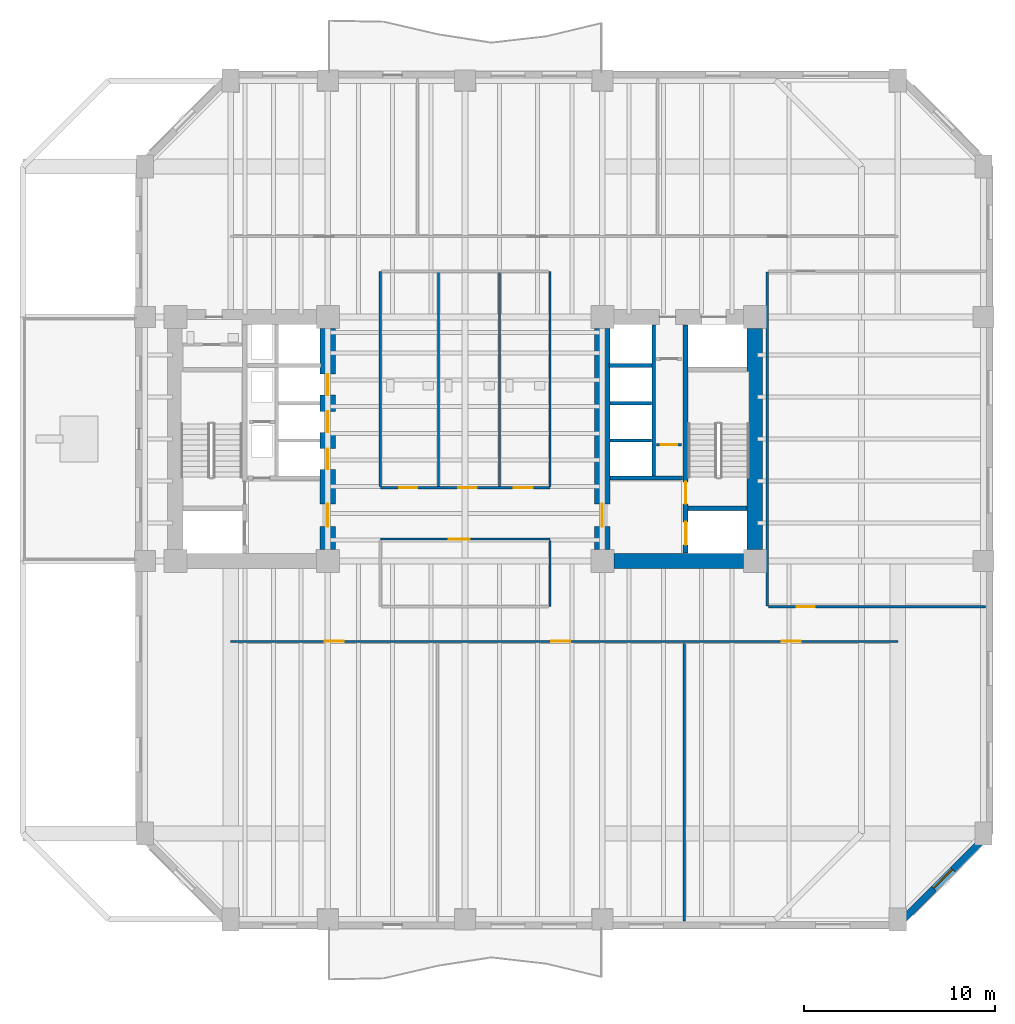
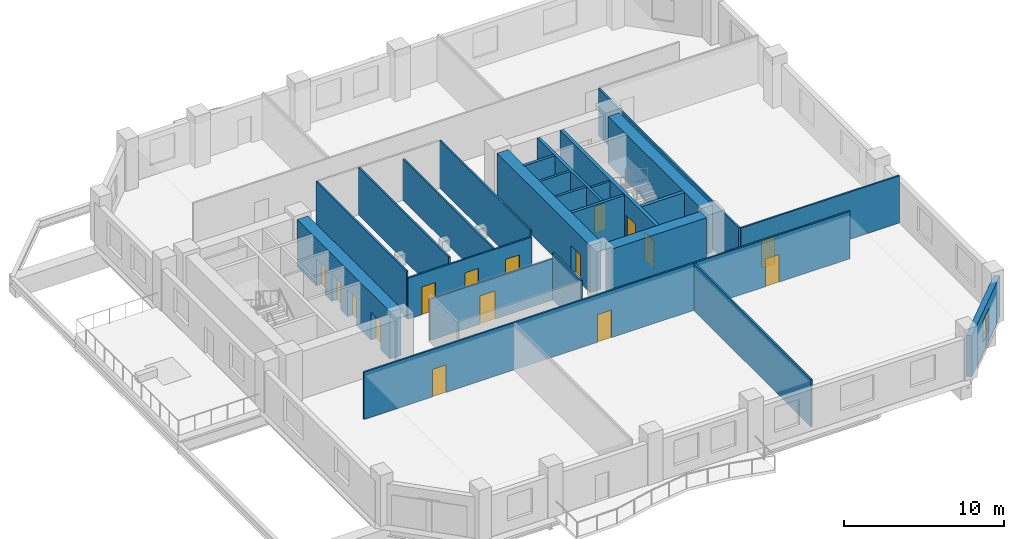
# One storey, part 4 of 11: 24 walls, 16 doors, 1 window, 17 openings.
"""IFC4 building model written with IfcOpenShell, lengths in metres."""

import ifcopenshell
import ifcopenshell.guid

model = None  # the IFC model being written
_history = None  # IfcOwnerHistory: only IFC2X3 demands one
_inside = {}  # id of a spatial element -> (the spatial element, [elements in it])
_under = {}  # id of a project, library or spatial element -> (it, [spatial elements below it])
_declared = {}  # id of a project -> (the project, [libraries it declares])
_typed = {}  # id of a type object -> (the type object, [elements of that type])
_made_of = {}  # id of a material, layer set ... -> (it, [elements and type objects made of it])


def new_model(schema):
    """Start an empty IFC model of exactly this schema.

    Asked for "IFC4X3", IfcOpenShell would pick the latest addendum, in which some entities
    have other attributes; the version numbers below select the first issue.
    IFC2X3 requires an IfcOwnerHistory on every rooted entity: one is made here for all.
    """
    global model, _history
    if schema == "IFC4X3":
        model = ifcopenshell.file(schema_version=(4, 3, 0, 0))
    else:
        model = ifcopenshell.file(schema=schema)
    _inside.clear()
    _under.clear()
    _declared.clear()
    _typed.clear()
    _made_of.clear()
    _history = None
    if model.schema == "IFC2X3":
        org = make("IfcOrganization", Name="unknown")
        user = make(
            "IfcPersonAndOrganization",
            ThePerson=make("IfcPerson", FamilyName="unknown"),
            TheOrganization=org,
        )
        app = make(
            "IfcApplication",
            ApplicationDeveloper=org,
            Version="unknown",
            ApplicationFullName="unknown",
            ApplicationIdentifier="unknown",
        )
        _history = make(
            "IfcOwnerHistory",
            OwningUser=user,
            OwningApplication=app,
            ChangeAction="ADDED",
            CreationDate=0,
        )
    return model


def make(cls, **values):
    """One entity of the class cls with the attributes given. An attribute that is None is left unset."""
    return model.create_entity(
        cls, **{name: value for name, value in values.items() if value is not None}
    )


def rooted(cls, **values):
    """An entity with a GlobalId (a new one), such as an element, a storey or a relation."""
    return make(cls, GlobalId=ifcopenshell.guid.new(), OwnerHistory=_history, **values)


def si_unit(unit_type, name, prefix=None):
    """IfcSIUnit, for example si_unit("LENGTHUNIT", "METRE", prefix="MILLI")."""
    return make("IfcSIUnit", UnitType=unit_type, Prefix=prefix, Name=name)


def assignment(units):
    """IfcUnitAssignment: the units of a project."""
    return None if units is None else make("IfcUnitAssignment", Units=units)


def point(xyz):
    """IfcCartesianPoint."""
    return None if xyz is None else make("IfcCartesianPoint", Coordinates=xyz)


def direction(xyz):
    """IfcDirection."""
    return None if xyz is None else make("IfcDirection", DirectionRatios=xyz)


def frame(location, z_axis=None, x_axis=None):
    """IfcAxis2Placement3D, a coordinate frame: its origin and axes. An axis left out is left unset."""
    return make(
        "IfcAxis2Placement3D",
        Location=point(location),
        Axis=direction(z_axis),
        RefDirection=direction(x_axis),
    )


def frame_2d(location, x_axis=None):
    """IfcAxis2Placement2D, a coordinate frame in the plane: its origin and x axis."""
    return make(
        "IfcAxis2Placement2D", Location=point(location), RefDirection=direction(x_axis)
    )


def origin():
    """The frame at (0, 0, 0) with its axes left unset."""
    return frame((0.0, 0.0, 0.0))


def place(relative_to, where):
    """IfcLocalPlacement: puts the frame where relative to a parent placement (None: the world)."""
    return make(
        "IfcLocalPlacement", PlacementRelTo=relative_to, RelativePlacement=where
    )


def context(
    kind, dimensions, precision=None, world=None, true_north=None, identifier=None
):
    """IfcGeometricRepresentationContext, for example the 3D "Model" context."""
    return make(
        "IfcGeometricRepresentationContext",
        ContextIdentifier=identifier,
        ContextType=kind,
        CoordinateSpaceDimension=dimensions,
        Precision=precision,
        WorldCoordinateSystem=world,
        TrueNorth=true_north,
    )


def subcontext(parent, identifier, kind, view, scale=None):
    """IfcGeometricRepresentationSubContext, for example "Body" below "Model"."""
    return make(
        "IfcGeometricRepresentationSubContext",
        ContextIdentifier=identifier,
        ContextType=kind,
        ParentContext=parent,
        TargetScale=scale,
        TargetView=view,
    )


def project(units=None, contexts=None):
    """IfcProject with its units and contexts."""
    return rooted(
        "IfcProject",
        Name="project",
        RepresentationContexts=contexts,
        UnitsInContext=assignment(units),
    )


def spatial(cls, under=None, at=None, **own):
    """A site, building, storey or space (cls), placed at a placement, below another one or the project."""
    s = rooted(cls, ObjectPlacement=at, **own)
    if under is not None:
        _under.setdefault(under.id(), (under, []))[1].append(s)
    return s


def profile(cls, at=None, kind="AREA", **sizes):
    """A parametric profile (cls). Its sizes go by their IFC names, for example OverallWidth=200.0."""
    return make(cls, ProfileType=kind, Position=at, **sizes)


def rectangle(**sizes):
    """IfcRectangleProfileDef."""
    return profile("IfcRectangleProfileDef", **sizes)


def extrude(swept, where, along, depth):
    """IfcExtrudedAreaSolid: the profile swept, set in the frame where, extruded along a direction by depth."""
    return make(
        "IfcExtrudedAreaSolid",
        SweptArea=swept,
        Position=where,
        ExtrudedDirection=direction(along),
        Depth=depth,
    )


def shape(context_of_items, identifier, shape_type, items):
    """IfcShapeRepresentation: the items that make up one representation, for example the "Body"."""
    return make(
        "IfcShapeRepresentation",
        ContextOfItems=context_of_items,
        RepresentationIdentifier=identifier,
        RepresentationType=shape_type,
        Items=items,
    )


def material(Name=None, Category=None):
    """IfcMaterial."""
    return make("IfcMaterial", Name=Name, Category=Category)


def layer(
    of_material, thickness, ventilated=None, Name=None, Category=None, Priority=None
):
    """IfcMaterialLayer: one layer of a wall or slab, of a material (None: an air gap)."""
    return make(
        "IfcMaterialLayer",
        Material=of_material,
        LayerThickness=thickness,
        IsVentilated=ventilated,
        Name=Name,
        Category=Category,
        Priority=Priority,
    )


def layer_set(layers, Name=None):
    """IfcMaterialLayerSet."""
    return make("IfcMaterialLayerSet", MaterialLayers=layers, LayerSetName=Name)


def made_of(thing, what):
    """Note that an element or type object is made of a material, layer set ...; save() writes the relation."""
    if what is not None:
        _made_of.setdefault(what.id(), (what, []))[1].append(thing)
    return thing


def type_object(cls, material=None, **own):
    """A type object (cls), such as IfcWallType, which elements share."""
    return made_of(rooted(cls, **own), material)


def element(
    cls,
    number,
    at=None,
    inside=None,
    cuts=None,
    type_object=None,
    material=None,
    context=None,
    identifier="Body",
    shape_type=None,
    held_by="IfcProductDefinitionShape",
    body=None,
    shapes=None,
    **own,
):
    """One element of the class cls, such as IfcWall. Its Tag is "e" and its number.

    at: its placement. inside: the storey or other place that contains it. cuts: it is an
    opening in that element (IfcRelVoidsElement). A single representation is given by context,
    identifier, shape_type and body (its items); several are given by shapes. held_by: the class
    of the entity that holds the representations. save() writes the other relations.
    """
    e = rooted(cls, Tag="e%d" % number, ObjectPlacement=at, **own)
    if body is not None:
        shapes = [shape(context, identifier, shape_type, body)]
    if shapes is not None:
        e.Representation = make(held_by, Representations=shapes)
    if inside is not None:
        _inside.setdefault(inside.id(), (inside, []))[1].append(e)
    if cuts is not None:
        rooted(
            "IfcRelVoidsElement", RelatingBuildingElement=cuts, RelatedOpeningElement=e
        )
    if type_object is not None:
        _typed.setdefault(type_object.id(), (type_object, []))[1].append(e)
    return made_of(e, material)


def fill(opening, filler):
    """IfcRelFillsElement: the door or window that sits in an opening."""
    return rooted(
        "IfcRelFillsElement",
        RelatingOpeningElement=opening,
        RelatedBuildingElement=filler,
    )


def aggregate(whole, parts):
    """IfcRelAggregates: a whole, such as a stair, and the parts it consists of."""
    return rooted("IfcRelAggregates", RelatingObject=whole, RelatedObjects=parts)


def save(model, path):
    """Write the relations noted so far, then the file.

    IfcRelAggregates (storeys below a building ...), IfcRelContainedInSpatialStructure (elements
    in a storey), IfcRelDefinesByType, IfcRelAssociatesMaterial and IfcRelDeclares: one each for
    every whole, place, type object, material and project.
    """
    for whole, parts in _under.values():
        aggregate(whole, parts)
    for where, things in _inside.values():
        rooted(
            "IfcRelContainedInSpatialStructure",
            RelatedElements=things,
            RelatingStructure=where,
        )
    for kind, things in _typed.values():
        rooted("IfcRelDefinesByType", RelatedObjects=things, RelatingType=kind)
    for what, things in _made_of.values():
        rooted("IfcRelAssociatesMaterial", RelatedObjects=things, RelatingMaterial=what)
    for by, libraries in _declared.values():
        rooted("IfcRelDeclares", RelatingContext=by, RelatedDefinitions=libraries)
    model.write(path)


model = new_model("IFC4")

# Units and contexts
model_context = context("Model", 3, precision=1e-05, world=origin(), true_north=direction((0.0, 1.0)))
body_context = subcontext(model_context, "Body", "Model", "MODEL_VIEW")
ifc_project = project(units=[si_unit("LENGTHUNIT", "METRE"), si_unit("AREAUNIT", "SQUARE_METRE"), si_unit("VOLUMEUNIT", "CUBIC_METRE"), si_unit("PLANEANGLEUNIT", "RADIAN"), si_unit("MASSUNIT", "GRAM", prefix="KILO")], contexts=[model_context])

# Site, building, storey
site_placement = place(None, origin())
site = spatial("IfcSite", under=ifc_project, at=site_placement, CompositionType="ELEMENT")
building_placement = place(site_placement, origin())
building = spatial("IfcBuilding", under=site, at=building_placement, Name="Kranthara Brick Stack", CompositionType="ELEMENT")
storey_placement = place(building_placement, frame((0.0, 0.0, 47.699951171875)))
storey = spatial("IfcBuildingStorey", under=building, at=storey_placement, Name="L11", CompositionType="ELEMENT", Elevation=47.699951171875)

# Wall, opening, window
ifc_material_1 = material(Name="Kiln-fired clay brick masonry M15", Category="masonry")
ifc_layer_1 = layer(ifc_material_1, 0.3798828125)
ifc_layer_set_1 = layer_set([ifc_layer_1], Name="Kiln-fired clay brick masonry M15")
wall_type_1 = type_object("IfcWallType", Name="WL-BRK-PIER-380", PredefinedType="STANDARD", material=ifc_layer_set_1)
wall_1_placement = place(storey_placement, frame((55.489990234375, 6.5, 0.0), z_axis=(0.0, 0.0, 1.0), x_axis=(-0.707106781187, -0.707106781187, 0.0)))
wall_1 = element("IfcWall", 1, at=wall_1_placement, inside=storey, type_object=wall_type_1, Name="L11 Exterior Brick Facade Wall SE 1", PredefinedType="STANDARD", context=body_context, shape_type="SweptSolid", body=[
    extrude(rectangle(XDim=6.774169921875, YDim=0.3798828125, at=frame_2d((3.38720703125, 0.0))), origin(), (0.0, 0.0, 1.0), 3.135009765625),
])
opening_1_placement = place(wall_1_placement, frame((2.68701171875, 0.0, 0.800048828125)))
opening_1 = element("IfcOpeningElement", 2, at=opening_1_placement, cuts=wall_1, Name="Opening WN10", PredefinedType="OPENING", context=body_context, shape_type="SweptSolid", body=[
    extrude(rectangle(XDim=1.39990234375, YDim=1.64990234375, at=frame_2d((0.699951171875, 0.824951171875))), frame((0.0, 0.199951171875, 0.0), z_axis=(0.0, -1.0, 0.0), x_axis=(1.0, 0.0, 0.0)), (0.0, 0.0, 1.0), 0.39990234375),
])
ifc_material_2 = material(Name="Double-glazed low-E solar control glass", Category="glass")
window_type = type_object("IfcWindowType", Name="WN-CHM-1400x1750", PartitioningType="SINGLE_PANEL", PredefinedType="WINDOW", material=ifc_material_2)
window_placement = place(opening_1_placement, origin())
window = element("IfcWindow", 3, at=window_placement, inside=storey, type_object=window_type, Name="L11 SE Chamfer Corner Window", OverallHeight=1.64990234375, OverallWidth=1.39990234375, PartitioningType="SINGLE_PANEL", PredefinedType="WINDOW", context=body_context, shape_type="SweptSolid", body=[
    extrude(rectangle(XDim=1.39990234375, YDim=1.64990234375, at=frame_2d((0.699951171875, 0.824951171875))), frame((0.0, -0.010009765625, 0.0), z_axis=(0.0, -1.0, 0.0), x_axis=(1.0, 0.0, 0.0)), (0.0, 0.0, 1.0), 0.06005859375),
])
fill(opening_1, window)

# Wall, openings, doors
ifc_material_3 = material(Name="Concrete C50/60", Category="concrete")
ifc_layer_2 = layer(ifc_material_3, 0.25)
ifc_layer_set_2 = layer_set([ifc_layer_2], Name="Concrete C50/60")
wall_type_2 = type_object("IfcWallType", Name="WL-CORE-250", PredefinedType="SHEAR", material=ifc_layer_set_2)
wall_2_placement = place(storey_placement, frame((39.56494140625, 21.2099609375, 0.0), z_axis=(0.0, 0.0, 1.0), x_axis=(0.0, 1.0, 0.0)))
wall_2 = element("IfcWall", 4, at=wall_2_placement, inside=storey, type_object=wall_type_2, Name="L11 East Core Stair Bearing Spine Wall", PredefinedType="SHEAR", context=body_context, shape_type="SweptSolid", body=[
    extrude(rectangle(XDim=11.97998046875, YDim=0.25, at=frame_2d((5.989990234375, 0.0))), origin(), (0.0, 0.0, 1.0), 3.60009765625),
])
opening_2_placement = place(wall_2_placement, frame((0.43994140625, 0.0, 0.0)))
opening_2 = element("IfcOpeningElement", 5, at=opening_2_placement, cuts=wall_2, Name="Opening LD01", PredefinedType="OPENING", context=body_context, shape_type="SweptSolid", body=[
    extrude(rectangle(XDim=1.199951171875, YDim=2.14990234375, at=frame_2d((0.60009765625, 1.074951171875))), frame((0.0, 0.135009765625, 0.0), z_axis=(0.0, -1.0, 0.0), x_axis=(1.0, 0.0, 0.0)), (0.0, 0.0, 1.0), 0.27001953125),
])
opening_3_placement = place(wall_2_placement, frame((2.590087890625, 0.0, 0.0)))
opening_3 = element("IfcOpeningElement", 6, at=opening_3_placement, cuts=wall_2, Name="Opening D05", PredefinedType="OPENING", context=body_context, shape_type="SweptSolid", body=[
    extrude(rectangle(XDim=1.14990234375, YDim=2.14990234375, at=frame_2d((0.574951171875, 1.074951171875))), frame((0.0, 0.135009765625, 0.0), z_axis=(0.0, -1.0, 0.0), x_axis=(1.0, 0.0, 0.0)), (0.0, 0.0, 1.0), 0.27001953125),
])
ifc_material_4 = material(Name="Stainless steel sliding landing door", Category="steel")
door_type_1 = type_object("IfcDoorType", Name="DR-LD-FF1200", OperationType="DOUBLE_DOOR_SLIDING", PredefinedType="DOOR", material=ifc_material_4)
door_1_placement = place(opening_2_placement, origin())
door_1 = element("IfcDoor", 7, at=door_1_placement, inside=storey, type_object=door_type_1, Name="L11 Firefighting Lift FF-02 Landing Door", OperationType="DOUBLE_DOOR_SLIDING", OverallHeight=2.14990234375, OverallWidth=1.199951171875, PredefinedType="DOOR", context=body_context, shape_type="SweptSolid", body=[
    extrude(rectangle(XDim=1.199951171875, YDim=2.14990234375, at=frame_2d((0.60009765625, 1.074951171875))), frame((0.0, 0.02490234375, 0.0), z_axis=(0.0, -1.0, 0.0), x_axis=(1.0, 0.0, 0.0)), (0.0, 0.0, 1.0), 0.050048828125),
])
fill(opening_2, door_1)
ifc_material_5 = material(Name="Solid-core hardwood timber leaf in steel frame", Category="steel")
door_type_2 = type_object("IfcDoorType", Name="DR-ST-1150", OperationType="NOTDEFINED", PredefinedType="DOOR", material=ifc_material_5)
door_2_placement = place(opening_3_placement, origin())
door_2 = element("IfcDoor", 8, at=door_2_placement, inside=storey, type_object=door_type_2, Name="L11 Exit Stair ST02 Door", OperationType="SINGLE_SWING_LEFT", OverallHeight=2.14990234375, OverallWidth=1.14990234375, PredefinedType="DOOR", context=body_context, shape_type="SweptSolid", body=[
    extrude(rectangle(XDim=1.14990234375, YDim=2.14990234375, at=frame_2d((0.574951171875, 1.074951171875))), frame((0.0, 0.02490234375, 0.0), z_axis=(0.0, -1.0, 0.0), x_axis=(1.0, 0.0, 0.0)), (0.0, 0.0, 1.0), 0.050048828125),
])
fill(opening_3, door_2)

# Wall
wall_3_placement = place(storey_placement, frame((39.68994140625, 23.570068359375, 0.0), z_axis=(0.0, 0.0, 1.0), x_axis=(1.0, 0.0, 0.0)))
element("IfcWall", 9, at=wall_3_placement, inside=storey, type_object=wall_type_2, Name="L11 East Stairwell Bearing Wall EFF", PredefinedType="SHEAR", context=body_context, shape_type="SweptSolid", body=[
    extrude(rectangle(XDim=3.10009765625, YDim=0.25, at=frame_2d((1.550048828125, 0.0))), origin(), (0.0, 0.0, 1.0), 3.60009765625),
])

# Wall, openings, doors
ifc_material_6 = material(Name="Concrete C70/85", Category="concrete")
ifc_layer_3 = layer(ifc_material_6, 0.800048828125)
ifc_layer_set_3 = layer_set([ifc_layer_3], Name="Concrete C70/85")
wall_type_3 = type_object("IfcWallType", Name="WL-CORE-800", PredefinedType="SHEAR", material=ifc_layer_set_3)
wall_4_placement = place(storey_placement, frame((20.800048828125, 21.405029296875, 0.0), z_axis=(0.0, 0.0, 1.0), x_axis=(0.0, 1.0, 0.0)))
wall_4 = element("IfcWall", 10, at=wall_4_placement, inside=storey, type_object=wall_type_3, Name="L11 West Core Shear Wall East", PredefinedType="SHEAR", context=body_context, shape_type="SweptSolid", body=[
    extrude(rectangle(XDim=11.590087890625, YDim=0.800048828125, at=frame_2d((5.794921875, 0.0))), origin(), (0.0, 0.0, 1.0), 3.60009765625),
])
opening_4_placement = place(wall_4_placement, frame((1.195068359375, 0.0, 0.0)))
opening_4 = element("IfcOpeningElement", 11, at=opening_4_placement, cuts=wall_4, Name="Opening D06", PredefinedType="OPENING", context=body_context, shape_type="SweptSolid", body=[
    extrude(rectangle(XDim=1.199951171875, YDim=2.14990234375, at=frame_2d((0.60009765625, 1.074951171875))), frame((0.0, 0.409912109375, 0.0), z_axis=(0.0, -1.0, 0.0), x_axis=(1.0, 0.0, 0.0)), (0.0, 0.0, 1.0), 0.820068359375),
])
opening_5_placement = place(wall_4_placement, frame((4.195068359375, 0.0, 0.0)))
opening_5 = element("IfcOpeningElement", 12, at=opening_5_placement, cuts=wall_4, Name="Opening LD02", PredefinedType="OPENING", context=body_context, shape_type="SweptSolid", body=[
    extrude(rectangle(XDim=1.10009765625, YDim=2.10009765625, at=frame_2d((0.550048828125, 1.050048828125))), frame((0.0, 0.409912109375, 0.0), z_axis=(0.0, -1.0, 0.0), x_axis=(1.0, 0.0, 0.0)), (0.0, 0.0, 1.0), 0.820068359375),
])
opening_6_placement = place(wall_4_placement, frame((6.14501953125, 0.0, 0.0)))
opening_6 = element("IfcOpeningElement", 13, at=opening_6_placement, cuts=wall_4, Name="Opening LD02", PredefinedType="OPENING", context=body_context, shape_type="SweptSolid", body=[
    extrude(rectangle(XDim=1.10009765625, YDim=2.10009765625, at=frame_2d((0.550048828125, 1.050048828125))), frame((0.0, 0.409912109375, 0.0), z_axis=(0.0, -1.0, 0.0), x_axis=(1.0, 0.0, 0.0)), (0.0, 0.0, 1.0), 0.820068359375),
])
opening_7_placement = place(wall_4_placement, frame((8.094970703125, 0.0, 0.0)))
opening_7 = element("IfcOpeningElement", 14, at=opening_7_placement, cuts=wall_4, Name="Opening LD02", PredefinedType="OPENING", context=body_context, shape_type="SweptSolid", body=[
    extrude(rectangle(XDim=1.10009765625, YDim=2.10009765625, at=frame_2d((0.550048828125, 1.050048828125))), frame((0.0, 0.409912109375, 0.0), z_axis=(0.0, -1.0, 0.0), x_axis=(1.0, 0.0, 0.0)), (0.0, 0.0, 1.0), 0.820068359375),
])
ifc_material_7 = material(Name="Solid-core hardwood timber leaf in steel frame", Category="steel")
door_type_3 = type_object("IfcDoorType", Name="DR-FFL-1200", OperationType="NOTDEFINED", PredefinedType="DOOR", material=ifc_material_7)
door_3_placement = place(opening_4_placement, origin())
door_3 = element("IfcDoor", 15, at=door_3_placement, inside=storey, type_object=door_type_3, Name="L11 West Firefighting Lobby Door", OperationType="SINGLE_SWING_LEFT", OverallHeight=2.14990234375, OverallWidth=1.199951171875, PredefinedType="DOOR", context=body_context, shape_type="SweptSolid", body=[
    extrude(rectangle(XDim=1.199951171875, YDim=2.14990234375, at=frame_2d((0.60009765625, 1.074951171875))), frame((0.0, 0.02490234375, 0.0), z_axis=(0.0, -1.0, 0.0), x_axis=(1.0, 0.0, 0.0)), (0.0, 0.0, 1.0), 0.050048828125),
])
fill(opening_4, door_3)
ifc_material_8 = material(Name="Stainless steel sliding landing door", Category="steel")
door_type_4 = type_object("IfcDoorType", Name="DR-LD-PL1100", OperationType="DOUBLE_DOOR_SLIDING", PredefinedType="DOOR", material=ifc_material_8)
door_4_placement = place(opening_5_placement, origin())
door_4 = element("IfcDoor", 16, at=door_4_placement, inside=storey, type_object=door_type_4, Name="L11 PL-01 Lift Landing Door", OperationType="DOUBLE_DOOR_SLIDING", OverallHeight=2.10009765625, OverallWidth=1.10009765625, PredefinedType="DOOR", context=body_context, shape_type="SweptSolid", body=[
    extrude(rectangle(XDim=1.10009765625, YDim=2.10009765625, at=frame_2d((0.550048828125, 1.050048828125))), frame((0.0, 0.02490234375, 0.0), z_axis=(0.0, -1.0, 0.0), x_axis=(1.0, 0.0, 0.0)), (0.0, 0.0, 1.0), 0.050048828125),
])
fill(opening_5, door_4)
door_5_placement = place(opening_6_placement, origin())
door_5 = element("IfcDoor", 17, at=door_5_placement, inside=storey, type_object=door_type_4, Name="L11 PL-02 Lift Landing Door", OperationType="DOUBLE_DOOR_SLIDING", OverallHeight=2.10009765625, OverallWidth=1.10009765625, PredefinedType="DOOR", context=body_context, shape_type="SweptSolid", body=[
    extrude(rectangle(XDim=1.10009765625, YDim=2.10009765625, at=frame_2d((0.550048828125, 1.050048828125))), frame((0.0, 0.02490234375, 0.0), z_axis=(0.0, -1.0, 0.0), x_axis=(1.0, 0.0, 0.0)), (0.0, 0.0, 1.0), 0.050048828125),
])
fill(opening_6, door_5)
door_6_placement = place(opening_7_placement, origin())
door_6 = element("IfcDoor", 18, at=door_6_placement, inside=storey, type_object=door_type_4, Name="L11 PL-03 Lift Landing Door", OperationType="DOUBLE_DOOR_SLIDING", OverallHeight=2.10009765625, OverallWidth=1.10009765625, PredefinedType="DOOR", context=body_context, shape_type="SweptSolid", body=[
    extrude(rectangle(XDim=1.10009765625, YDim=2.10009765625, at=frame_2d((0.550048828125, 1.050048828125))), frame((0.0, 0.02490234375, 0.0), z_axis=(0.0, -1.0, 0.0), x_axis=(1.0, 0.0, 0.0)), (0.0, 0.0, 1.0), 0.050048828125),
])
fill(opening_7, door_6)

# Walls
wall_5_placement = place(storey_placement, frame((43.199951171875, 21.405029296875, 0.0), z_axis=(0.0, 0.0, 1.0), x_axis=(0.0, 1.0, 0.0)))
element("IfcWall", 19, at=wall_5_placement, inside=storey, type_object=wall_type_3, Name="L11 East Core Shear Wall East", PredefinedType="SHEAR", context=body_context, shape_type="SweptSolid", body=[
    extrude(rectangle(XDim=11.590087890625, YDim=0.800048828125, at=frame_2d((5.794921875, 0.0))), origin(), (0.0, 0.0, 1.0), 3.60009765625),
])
wall_6_placement = place(storey_placement, frame((35.804931640625, 20.800048828125, 0.0), z_axis=(0.0, 0.0, 1.0), x_axis=(1.0, 0.0, 0.0)))
element("IfcWall", 20, at=wall_6_placement, inside=storey, type_object=wall_type_3, Name="L11 East Core Shear Wall South", PredefinedType="SHEAR", context=body_context, shape_type="SweptSolid", body=[
    extrude(rectangle(XDim=6.7900390625, YDim=0.800048828125, at=frame_2d((3.39501953125, 0.0))), origin(), (0.0, 0.0, 1.0), 3.60009765625),
])

# Wall, opening, door
wall_7_placement = place(storey_placement, frame((35.199951171875, 21.405029296875, 0.0), z_axis=(0.0, 0.0, 1.0), x_axis=(0.0, 1.0, 0.0)))
wall_7 = element("IfcWall", 21, at=wall_7_placement, inside=storey, type_object=wall_type_3, Name="L11 East Core Shear Wall West", PredefinedType="SHEAR", context=body_context, shape_type="SweptSolid", body=[
    extrude(rectangle(XDim=11.590087890625, YDim=0.800048828125, at=frame_2d((5.794921875, 0.0))), origin(), (0.0, 0.0, 1.0), 3.60009765625),
])
opening_8_placement = place(wall_7_placement, frame((1.195068359375, 0.0, 0.0)))
opening_8 = element("IfcOpeningElement", 22, at=opening_8_placement, cuts=wall_7, Name="Opening D06", PredefinedType="OPENING", context=body_context, shape_type="SweptSolid", body=[
    extrude(rectangle(XDim=1.199951171875, YDim=2.14990234375, at=frame_2d((0.60009765625, 1.074951171875))), frame((0.0, 0.409912109375, 0.0), z_axis=(0.0, -1.0, 0.0), x_axis=(1.0, 0.0, 0.0)), (0.0, 0.0, 1.0), 0.820068359375),
])
door_7_placement = place(opening_8_placement, origin())
door_7 = element("IfcDoor", 23, at=door_7_placement, inside=storey, type_object=door_type_3, Name="L11 East Firefighting Lobby Door", OperationType="SINGLE_SWING_RIGHT", OverallHeight=2.14990234375, OverallWidth=1.199951171875, PredefinedType="DOOR", context=body_context, shape_type="SweptSolid", body=[
    extrude(rectangle(XDim=1.199951171875, YDim=2.14990234375, at=frame_2d((0.60009765625, 1.074951171875))), frame((0.0, 0.02490234375, 0.0), z_axis=(0.0, -1.0, 0.0), x_axis=(1.0, 0.0, 0.0)), (0.0, 0.0, 1.0), 0.050048828125),
])
fill(opening_8, door_7)

# Wall, openings, doors
ifc_material_9 = material(Name="Acoustic gypsum plasterboard partition", Category="other")
ifc_layer_4 = layer(ifc_material_9, 0.1201171875)
ifc_layer_set_4 = layer_set([ifc_layer_4], Name="Acoustic gypsum plasterboard partition")
wall_type_4 = type_object("IfcWallType", Name="WL-PART-120", PredefinedType="PARTITIONING", material=ifc_layer_set_4)
wall_8_placement = place(storey_placement, frame((23.550048828125, 24.64990234375, 0.0), z_axis=(0.0, 0.0, 1.0), x_axis=(1.0, 0.0, 0.0)))
wall_8 = element("IfcWall", 24, at=wall_8_placement, inside=storey, type_object=wall_type_4, Name="L11 Interior Partition 005", PredefinedType="PARTITIONING", context=body_context, shape_type="SweptSolid", body=[
    extrude(rectangle(XDim=8.89990234375, YDim=0.1201171875, at=frame_2d((4.449951171875, 0.0))), origin(), (0.0, 0.0, 1.0), 3.135009765625),
])
opening_9_placement = place(wall_8_placement, frame((1.0, 0.0, 0.0)))
opening_9 = element("IfcOpeningElement", 25, at=opening_9_placement, cuts=wall_8, Name="Opening D14", PredefinedType="OPENING", context=body_context, shape_type="SweptSolid", body=[
    extrude(rectangle(XDim=0.949951171875, YDim=2.10009765625, at=frame_2d((0.47509765625, 1.050048828125))), frame((0.0, 0.070068359375, 0.0), z_axis=(0.0, -1.0, 0.0), x_axis=(1.0, 0.0, 0.0)), (0.0, 0.0, 1.0), 0.14013671875),
])
opening_10_placement = place(wall_8_placement, frame((4.10009765625, 0.0, 0.0)))
opening_10 = element("IfcOpeningElement", 26, at=opening_10_placement, cuts=wall_8, Name="Opening D14", PredefinedType="OPENING", context=body_context, shape_type="SweptSolid", body=[
    extrude(rectangle(XDim=0.949951171875, YDim=2.10009765625, at=frame_2d((0.47509765625, 1.050048828125))), frame((0.0, 0.070068359375, 0.0), z_axis=(0.0, -1.0, 0.0), x_axis=(1.0, 0.0, 0.0)), (0.0, 0.0, 1.0), 0.14013671875),
])
opening_11_placement = place(wall_8_placement, frame((7.0, 0.0, 0.0)))
opening_11 = element("IfcOpeningElement", 27, at=opening_11_placement, cuts=wall_8, Name="Opening D18", PredefinedType="OPENING", context=body_context, shape_type="SweptSolid", body=[
    extrude(rectangle(XDim=1.0, YDim=2.10009765625, at=frame_2d((0.5, 1.050048828125))), frame((0.0, 0.070068359375, 0.0), z_axis=(0.0, -1.0, 0.0), x_axis=(1.0, 0.0, 0.0)), (0.0, 0.0, 1.0), 0.14013671875),
])
ifc_material_10 = material(Name="Solid-core hardwood timber leaf in steel frame", Category="steel")
door_type_5 = type_object("IfcDoorType", Name="DR-ACC-1000", OperationType="NOTDEFINED", PredefinedType="DOOR", material=ifc_material_10)
door_8_placement = place(opening_11_placement, origin())
door_8 = element("IfcDoor", 28, at=door_8_placement, inside=storey, type_object=door_type_5, Name="L11 Accessible WC Door 07", OperationType="SINGLE_SWING_LEFT", OverallHeight=2.10009765625, OverallWidth=1.0, PredefinedType="DOOR", context=body_context, shape_type="SweptSolid", body=[
    extrude(rectangle(XDim=1.0, YDim=2.10009765625, at=frame_2d((0.5, 1.050048828125))), frame((0.0, 0.02490234375, 0.0), z_axis=(0.0, -1.0, 0.0), x_axis=(1.0, 0.0, 0.0)), (0.0, 0.0, 1.0), 0.050048828125),
])
fill(opening_11, door_8)
ifc_material_11 = material(Name="Solid-core hardwood timber leaf in steel frame", Category="steel")
door_type_6 = type_object("IfcDoorType", Name="DR-INT-950", OperationType="NOTDEFINED", PredefinedType="DOOR", material=ifc_material_11)
door_9_placement = place(opening_9_placement, origin())
door_9 = element("IfcDoor", 29, at=door_9_placement, inside=storey, type_object=door_type_6, Name="L11 Male WC Door 05", OperationType="SINGLE_SWING_LEFT", OverallHeight=2.10009765625, OverallWidth=0.949951171875, PredefinedType="DOOR", context=body_context, shape_type="SweptSolid", body=[
    extrude(rectangle(XDim=0.949951171875, YDim=2.10009765625, at=frame_2d((0.47509765625, 1.050048828125))), frame((0.0, 0.02490234375, 0.0), z_axis=(0.0, -1.0, 0.0), x_axis=(1.0, 0.0, 0.0)), (0.0, 0.0, 1.0), 0.050048828125),
])
fill(opening_9, door_9)
door_10_placement = place(opening_10_placement, origin())
door_10 = element("IfcDoor", 30, at=door_10_placement, inside=storey, type_object=door_type_6, Name="L11 Female WC Door 06", OperationType="SINGLE_SWING_RIGHT", OverallHeight=2.10009765625, OverallWidth=0.949951171875, PredefinedType="DOOR", context=body_context, shape_type="SweptSolid", body=[
    extrude(rectangle(XDim=0.949951171875, YDim=2.10009765625, at=frame_2d((0.47509765625, 1.050048828125))), frame((0.0, 0.02490234375, 0.0), z_axis=(0.0, -1.0, 0.0), x_axis=(1.0, 0.0, 0.0)), (0.0, 0.0, 1.0), 0.050048828125),
])
fill(opening_10, door_10)

# Walls
for number, where, z_axis, x_axis, name in (
    (31, (23.550048828125, 24.715087890625, 0.0), (0.0, 0.0, 1.0), (0.0, 1.0, 0.0), "L11 Interior Partition 006"),
    (32, (32.449951171875, 24.715087890625, 0.0), (0.0, 0.0, 1.0), (0.0, 1.0, 0.0), "L11 Interior Partition 007"),
    (33, (26.60009765625, 24.715087890625, 0.0), (0.0, 0.0, 1.0), (0.0, 1.0, 0.0), "L11 Interior Partition 008"),
):
    element("IfcWall", number, at=place(storey_placement, frame(where, z_axis=z_axis, x_axis=x_axis)), inside=storey, type_object=wall_type_4, Name=name, PredefinedType="PARTITIONING", context=body_context, shape_type="SweptSolid", body=[
        extrude(rectangle(XDim=11.284912109375, YDim=0.1201171875, at=frame_2d((5.642578125, 0.0))), origin(), (0.0, 0.0, 1.0), 3.60009765625),
    ])
wall_9_placement = place(storey_placement, frame((29.800048828125, 24.715087890625, 0.0), z_axis=(0.0, 0.0, 1.0), x_axis=(0.0, 1.0, 0.0)))
element("IfcWall", 34, at=wall_9_placement, inside=storey, type_object=wall_type_4, Name="L11 Interior Partition 009", PredefinedType="PARTITIONING", context=body_context, shape_type="SweptSolid", body=[
    extrude(rectangle(XDim=11.284912109375, YDim=0.1201171875, at=frame_2d((5.642578125, 0.0))), origin(), (0.0, 0.0, 1.0), 3.135009765625),
])

# Wall, opening, door
wall_10_placement = place(storey_placement, frame((23.550048828125, 21.949951171875, 0.0), z_axis=(0.0, 0.0, 1.0), x_axis=(1.0, 0.0, 0.0)))
wall_10 = element("IfcWall", 35, at=wall_10_placement, inside=storey, type_object=wall_type_4, Name="L11 Interior Partition 011", PredefinedType="PARTITIONING", context=body_context, shape_type="SweptSolid", body=[
    extrude(rectangle(XDim=8.89990234375, YDim=0.1201171875, at=frame_2d((4.449951171875, 0.0))), origin(), (0.0, 0.0, 1.0), 3.135009765625),
])
opening_12_placement = place(wall_10_placement, frame((3.60009765625, 0.0, 0.0)))
opening_12 = element("IfcOpeningElement", 36, at=opening_12_placement, cuts=wall_10, Name="Opening D11", PredefinedType="OPENING", context=body_context, shape_type="SweptSolid", body=[
    extrude(rectangle(XDim=1.10009765625, YDim=2.14990234375, at=frame_2d((0.550048828125, 1.074951171875))), frame((0.0, 0.070068359375, 0.0), z_axis=(0.0, -1.0, 0.0), x_axis=(1.0, 0.0, 0.0)), (0.0, 0.0, 1.0), 0.14013671875),
])
ifc_material_12 = material(Name="Solid-core hardwood timber leaf in steel frame", Category="steel")
door_type_7 = type_object("IfcDoorType", Name="DR-INT-1100", OperationType="NOTDEFINED", PredefinedType="DOOR", material=ifc_material_12)
door_11_placement = place(opening_12_placement, origin())
door_11 = element("IfcDoor", 37, at=door_11_placement, inside=storey, type_object=door_type_7, Name="L11 Internal Briefing Room 08", OperationType="SINGLE_SWING_RIGHT", OverallHeight=2.14990234375, OverallWidth=1.10009765625, PredefinedType="DOOR", context=body_context, shape_type="SweptSolid", body=[
    extrude(rectangle(XDim=1.10009765625, YDim=2.14990234375, at=frame_2d((0.550048828125, 1.074951171875))), frame((0.0, 0.02490234375, 0.0), z_axis=(0.0, -1.0, 0.0), x_axis=(1.0, 0.0, 0.0)), (0.0, 0.0, 1.0), 0.050048828125),
])
fill(opening_12, door_11)

# Wall
wall_11_placement = place(storey_placement, frame((32.449951171875, 18.39990234375, 0.0), z_axis=(0.0, 0.0, 1.0), x_axis=(0.0, 1.0, 0.0)))
element("IfcWall", 38, at=wall_11_placement, inside=storey, type_object=wall_type_4, Name="L11 Interior Partition 013", PredefinedType="PARTITIONING", context=body_context, shape_type="SweptSolid", body=[
    extrude(rectangle(XDim=3.485107421875, YDim=0.1201171875, at=frame_2d((1.74267578125, 0.0))), origin(), (0.0, 0.0, 1.0), 3.60009765625),
])

# Wall, openings, doors
wall_12_placement = place(storey_placement, frame((15.699951171875, 16.580078125, 0.0), z_axis=(0.0, 0.0, 1.0), x_axis=(1.0, 0.0, 0.0)))
wall_12 = element("IfcWall", 39, at=wall_12_placement, inside=storey, type_object=wall_type_4, Name="L11 Interior Partition 015", PredefinedType="PARTITIONING", context=body_context, shape_type="SweptSolid", body=[
    extrude(rectangle(XDim=35.0, YDim=0.1201171875, at=frame_2d((17.5, 0.0))), origin(), (0.0, 0.0, 1.0), 3.60009765625),
])
opening_13_placement = place(wall_12_placement, frame((4.925048828125, 0.0, 0.0)))
opening_13 = element("IfcOpeningElement", 40, at=opening_13_placement, cuts=wall_12, Name="Opening D13", PredefinedType="OPENING", context=body_context, shape_type="SweptSolid", body=[
    extrude(rectangle(XDim=1.0, YDim=2.10009765625, at=frame_2d((0.5, 1.050048828125))), frame((0.0, 0.070068359375, 0.0), z_axis=(0.0, -1.0, 0.0), x_axis=(1.0, 0.0, 0.0)), (0.0, 0.0, 1.0), 0.14013671875),
])
opening_14_placement = place(wall_12_placement, frame((16.824951171875, 0.0, 0.0)))
opening_14 = element("IfcOpeningElement", 41, at=opening_14_placement, cuts=wall_12, Name="Opening D13", PredefinedType="OPENING", context=body_context, shape_type="SweptSolid", body=[
    extrude(rectangle(XDim=1.0, YDim=2.10009765625, at=frame_2d((0.5, 1.050048828125))), frame((0.0, 0.070068359375, 0.0), z_axis=(0.0, -1.0, 0.0), x_axis=(1.0, 0.0, 0.0)), (0.0, 0.0, 1.0), 0.14013671875),
])
opening_15_placement = place(wall_12_placement, frame((28.89990234375, 0.0, 0.0)))
opening_15 = element("IfcOpeningElement", 42, at=opening_15_placement, cuts=wall_12, Name="Opening D13", PredefinedType="OPENING", context=body_context, shape_type="SweptSolid", body=[
    extrude(rectangle(XDim=1.0, YDim=2.10009765625, at=frame_2d((0.5, 1.050048828125))), frame((0.0, 0.070068359375, 0.0), z_axis=(0.0, -1.0, 0.0), x_axis=(1.0, 0.0, 0.0)), (0.0, 0.0, 1.0), 0.14013671875),
])
ifc_material_13 = material(Name="Solid-core hardwood timber leaf in steel frame", Category="steel")
door_type_8 = type_object("IfcDoorType", Name="DR-INT-1000", OperationType="NOTDEFINED", PredefinedType="DOOR", material=ifc_material_13)
door_12_placement = place(opening_13_placement, origin())
door_12 = element("IfcDoor", 43, at=door_12_placement, inside=storey, type_object=door_type_8, Name="L11 Open Plan Workspace 09", OperationType="SINGLE_SWING_LEFT", OverallHeight=2.10009765625, OverallWidth=1.0, PredefinedType="DOOR", context=body_context, shape_type="SweptSolid", body=[
    extrude(rectangle(XDim=1.0, YDim=2.10009765625, at=frame_2d((0.5, 1.050048828125))), frame((0.0, 0.02490234375, 0.0), z_axis=(0.0, -1.0, 0.0), x_axis=(1.0, 0.0, 0.0)), (0.0, 0.0, 1.0), 0.050048828125),
])
fill(opening_13, door_12)
door_13_placement = place(opening_14_placement, origin())
door_13 = element("IfcDoor", 44, at=door_13_placement, inside=storey, type_object=door_type_8, Name="L11 Boardroom 10", OperationType="SINGLE_SWING_RIGHT", OverallHeight=2.10009765625, OverallWidth=1.0, PredefinedType="DOOR", context=body_context, shape_type="SweptSolid", body=[
    extrude(rectangle(XDim=1.0, YDim=2.10009765625, at=frame_2d((0.5, 1.050048828125))), frame((0.0, 0.02490234375, 0.0), z_axis=(0.0, -1.0, 0.0), x_axis=(1.0, 0.0, 0.0)), (0.0, 0.0, 1.0), 0.050048828125),
])
fill(opening_14, door_13)
door_14_placement = place(opening_15_placement, origin())
door_14 = element("IfcDoor", 45, at=door_14_placement, inside=storey, type_object=door_type_8, Name="L11 Staff Pantry 11", OperationType="SINGLE_SWING_LEFT", OverallHeight=2.10009765625, OverallWidth=1.0, PredefinedType="DOOR", context=body_context, shape_type="SweptSolid", body=[
    extrude(rectangle(XDim=1.0, YDim=2.10009765625, at=frame_2d((0.5, 1.050048828125))), frame((0.0, 0.02490234375, 0.0), z_axis=(0.0, -1.0, 0.0), x_axis=(1.0, 0.0, 0.0)), (0.0, 0.0, 1.0), 0.050048828125),
])
fill(opening_15, door_14)

# Walls
wall_13_placement = place(storey_placement, frame((39.5, 1.905029296875, 0.0), z_axis=(0.0, 0.0, 1.0), x_axis=(0.0, 1.0, 0.0)))
element("IfcWall", 46, at=wall_13_placement, inside=storey, type_object=wall_type_4, Name="L11 Interior Partition 017", PredefinedType="PARTITIONING", context=body_context, shape_type="SweptSolid", body=[
    extrude(rectangle(XDim=14.574951171875, YDim=0.1201171875, at=frame_2d((7.28759765625, 0.0))), origin(), (0.0, 0.0, 1.0), 3.60009765625),
])
wall_14_placement = place(storey_placement, frame((43.85009765625, 18.449951171875, 0.0), z_axis=(0.0, 0.0, 1.0), x_axis=(0.0, 1.0, 0.0)))
element("IfcWall", 47, at=wall_14_placement, inside=storey, type_object=wall_type_4, Name="L11 Interior Partition 021", PredefinedType="PARTITIONING", context=body_context, shape_type="SweptSolid", body=[
    extrude(rectangle(XDim=17.5, YDim=0.1201171875, at=frame_2d((8.75, 0.0))), origin(), (0.0, 0.0, 1.0), 3.60009765625),
])

# Wall, opening, door
wall_15_placement = place(storey_placement, frame((43.9150390625, 18.39990234375, 0.0), z_axis=(0.0, 0.0, 1.0), x_axis=(1.0, 0.0, 0.0)))
wall_15 = element("IfcWall", 48, at=wall_15_placement, inside=storey, type_object=wall_type_4, Name="L11 Interior Partition 022", PredefinedType="PARTITIONING", context=body_context, shape_type="SweptSolid", body=[
    extrude(rectangle(XDim=11.3798828125, YDim=0.1201171875, at=frame_2d((5.68994140625, 0.0))), origin(), (0.0, 0.0, 1.0), 3.60009765625),
])
opening_16_placement = place(wall_15_placement, frame((1.485107421875, 0.0, 0.0)))
opening_16 = element("IfcOpeningElement", 49, at=opening_16_placement, cuts=wall_15, Name="Opening D14", PredefinedType="OPENING", context=body_context, shape_type="SweptSolid", body=[
    extrude(rectangle(XDim=0.949951171875, YDim=2.10009765625, at=frame_2d((0.47509765625, 1.050048828125))), frame((0.0, 0.070068359375, 0.0), z_axis=(0.0, -1.0, 0.0), x_axis=(1.0, 0.0, 0.0)), (0.0, 0.0, 1.0), 0.14013671875),
])
door_15_placement = place(opening_16_placement, origin())
door_15 = element("IfcDoor", 50, at=door_15_placement, inside=storey, type_object=door_type_6, Name="L11 East South Office 15", OperationType="SINGLE_SWING_LEFT", OverallHeight=2.10009765625, OverallWidth=0.949951171875, PredefinedType="DOOR", context=body_context, shape_type="SweptSolid", body=[
    extrude(rectangle(XDim=0.949951171875, YDim=2.10009765625, at=frame_2d((0.47509765625, 1.050048828125))), frame((0.0, 0.02490234375, 0.0), z_axis=(0.0, -1.0, 0.0), x_axis=(1.0, 0.0, 0.0)), (0.0, 0.0, 1.0), 0.050048828125),
])
fill(opening_16, door_15)

ifc_material_14 = material(Name="Fire-rated gypsum board partition", Category="other")
ifc_layer_5 = layer(ifc_material_14, 0.14990234375)
ifc_layer_set_5 = layer_set([ifc_layer_5], Name="Fire-rated gypsum board partition")
wall_type_5 = type_object("IfcWallType", Name="WL-PART-150", PredefinedType="PARTITIONING", material=ifc_layer_set_5)
wall_16_placement = place(storey_placement, frame((38.050048828125, 26.89990234375, 0.0), z_axis=(0.0, 0.0, 1.0), x_axis=(1.0, 0.0, 0.0)))
wall_16 = element("IfcWall", 51, at=wall_16_placement, inside=storey, type_object=wall_type_5, Name="L11 Interior Partition 002", PredefinedType="PARTITIONING", context=body_context, shape_type="SweptSolid", body=[
    extrude(rectangle(XDim=1.300048828125, YDim=0.14990234375, at=frame_2d((0.64990234375, 0.0))), origin(), (0.0, 0.0, 1.0), 3.60009765625),
])
opening_17_placement = place(wall_16_placement, frame((0.219970703125, 0.0, 0.0)))
opening_17 = element("IfcOpeningElement", 52, at=opening_17_placement, cuts=wall_16, Name="Opening D10", PredefinedType="OPENING", context=body_context, shape_type="SweptSolid", body=[
    extrude(rectangle(XDim=0.85009765625, YDim=2.02001953125, at=frame_2d((0.425048828125, 1.010009765625))), frame((0.0, 0.0849609375, 0.0), z_axis=(0.0, -1.0, 0.0), x_axis=(1.0, 0.0, 0.0)), (0.0, 0.0, 1.0), 0.169921875),
])
ifc_material_15 = material(Name="Solid-core hardwood timber leaf in steel frame", Category="steel")
door_type_9 = type_object("IfcDoorType", Name="DR-RSR-850", OperationType="NOTDEFINED", PredefinedType="DOOR", material=ifc_material_15)
door_16_placement = place(opening_17_placement, origin())
door_16 = element("IfcDoor", 53, at=door_16_placement, inside=storey, type_object=door_type_9, Name="L11 East Valve Door 02", OperationType="SINGLE_SWING_RIGHT", OverallHeight=2.02001953125, OverallWidth=0.85009765625, PredefinedType="DOOR", context=body_context, shape_type="SweptSolid", body=[
    extrude(rectangle(XDim=0.85009765625, YDim=2.02001953125, at=frame_2d((0.425048828125, 1.010009765625))), frame((0.0, 0.02490234375, 0.0), z_axis=(0.0, -1.0, 0.0), x_axis=(1.0, 0.0, 0.0)), (0.0, 0.0, 1.0), 0.050048828125),
])
fill(opening_17, door_16)

# Walls
ifc_material_16 = material(Name="Gypsum plasterboard on acoustic twin stud", Category="other")
ifc_layer_6 = layer(ifc_material_16, 0.179931640625)
ifc_layer_set_6 = layer_set([ifc_layer_6], Name="Gypsum plasterboard on acoustic twin stud")
wall_type_6 = type_object("IfcWallType", Name="WL-PART-180", PredefinedType="PARTITIONING", material=ifc_layer_set_6)
for number, where, z_axis, x_axis, name in (
    (54, (35.610107421875, 27.1201171875, 0.0), (0.0, 0.0, 1.0), (1.0, 0.0, 0.0), "L11 East Hoistway Wall EH1"),
    (55, (35.610107421875, 29.080078125, 0.0), (0.0, 0.0, 1.0), (1.0, 0.0, 0.0), "L11 East Hoistway Wall EH2"),
):
    element("IfcWall", number, at=place(storey_placement, frame(where, z_axis=z_axis, x_axis=x_axis)), inside=storey, type_object=wall_type_6, Name=name, PredefinedType="PARTITIONING", context=body_context, shape_type="SweptSolid", body=[
        extrude(rectangle(XDim=2.169921875, YDim=0.179931640625, at=frame_2d((1.0849609375, 0.0))), origin(), (0.0, 0.0, 1.0), 3.60009765625),
    ])
ifc_material_17 = material(Name="Concrete C40/50", Category="concrete")
ifc_layer_7 = layer(ifc_material_17, 0.199951171875)
ifc_layer_set_7 = layer_set([ifc_layer_7], Name="Concrete C40/50")
wall_type_7 = type_object("IfcWallType", Name="WL-PART-200", PredefinedType="SOLIDWALL", material=ifc_layer_set_7)
wall_17_placement = place(storey_placement, frame((35.610107421875, 25.14990234375, 0.0), z_axis=(0.0, 0.0, 1.0), x_axis=(1.0, 0.0, 0.0)))
element("IfcWall", 56, at=wall_17_placement, inside=storey, type_object=wall_type_7, Name="L11 East Core Cross Wall EFL", PredefinedType="SOLIDWALL", context=body_context, shape_type="SweptSolid", body=[
    extrude(rectangle(XDim=3.789794921875, YDim=0.199951171875, at=frame_2d((1.89501953125, 0.0))), origin(), (0.0, 0.0, 1.0), 3.60009765625),
])
wall_18_placement = place(storey_placement, frame((35.550048828125, 31.050048828125, 0.0), z_axis=(0.0, 0.0, 1.0), x_axis=(1.0, 0.0, 0.0)))
element("IfcWall", 57, at=wall_18_placement, inside=storey, type_object=wall_type_7, Name="L11 East Core Cross Wall EE4", PredefinedType="SOLIDWALL", context=body_context, shape_type="SweptSolid", body=[
    extrude(rectangle(XDim=2.25, YDim=0.199951171875, at=frame_2d((1.125, 0.0))), origin(), (0.0, 0.0, 1.0), 3.60009765625),
])
wall_19_placement = place(storey_placement, frame((37.89990234375, 25.27001953125, 0.0), z_axis=(0.0, 0.0, 1.0), x_axis=(0.0, 1.0, 0.0)))
element("IfcWall", 58, at=wall_19_placement, inside=storey, type_object=wall_type_7, Name="L11 East Core Cross Wall ESV", PredefinedType="SOLIDWALL", context=body_context, shape_type="SweptSolid", body=[
    extrude(rectangle(XDim=7.919921875, YDim=0.199951171875, at=frame_2d((3.9599609375, 0.0))), origin(), (0.0, 0.0, 1.0), 3.60009765625),
])

save(model, "model.ifc")
